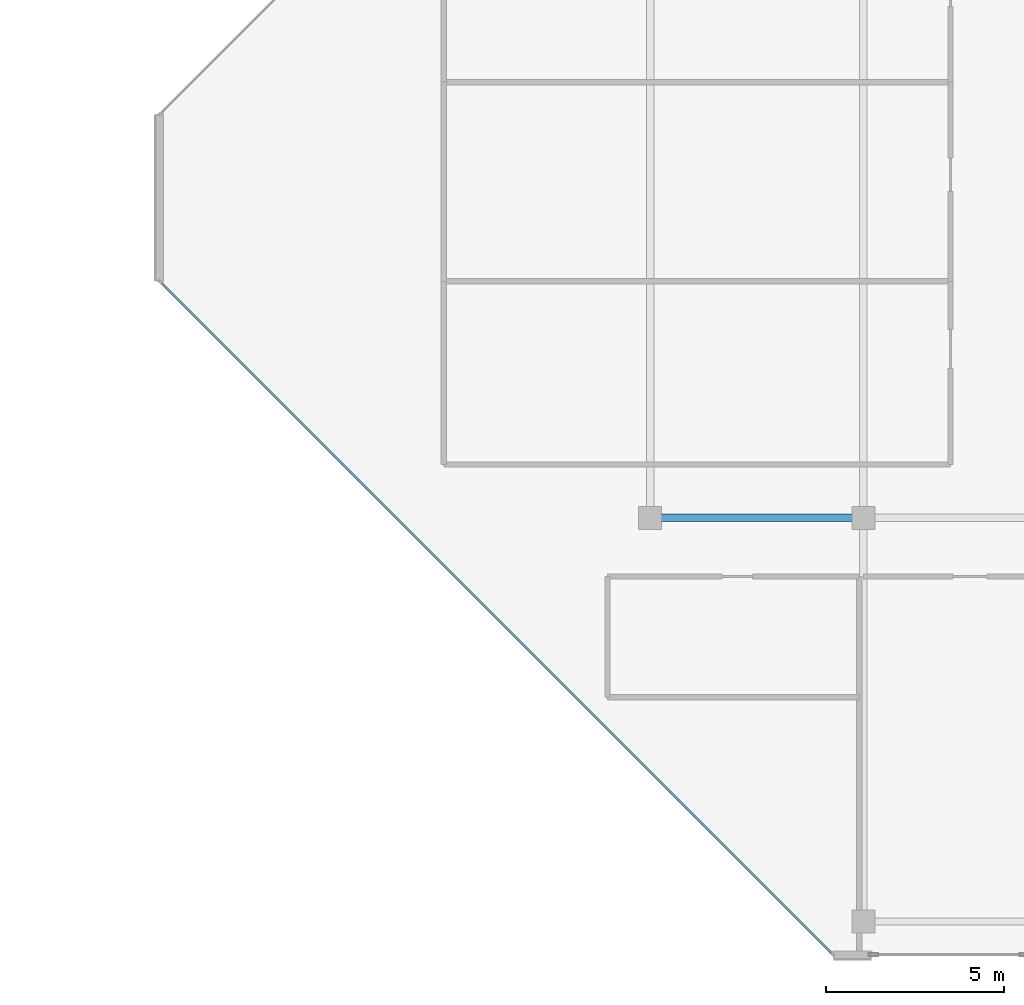
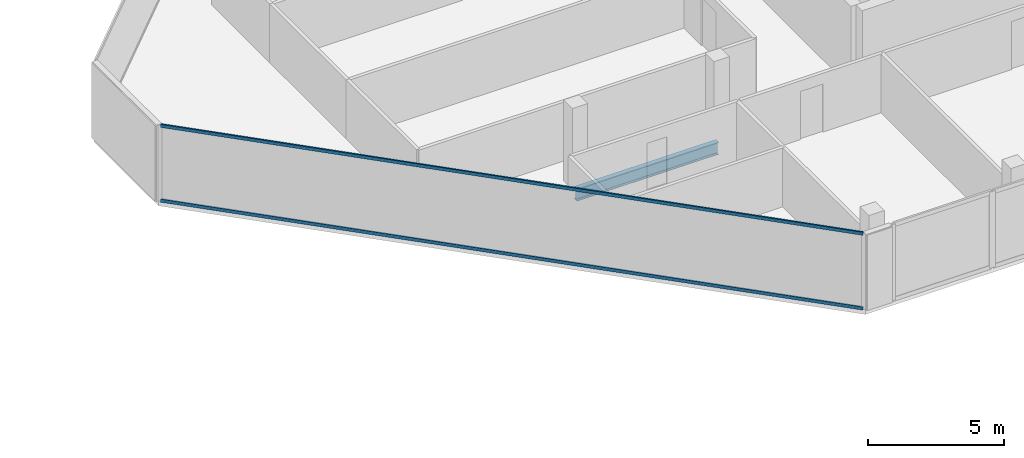
# One storey, part 9 of 28: 2 members, 1 beam, 1 element without a shape of its own.
"""IFC4 building model written with IfcOpenShell, lengths in metres."""

from ifc_helpers import new_model, si_unit, direction, frame, origin, origin_2d, place, context, subcontext, project, spatial, hollow_rectangle, i_section, extrude, material, layer, layer_set, material_profile, profile_set, type_object, element, aggregate, save


model = new_model("IFC4")

# Units and contexts
model_context = context("Model", 3, precision=1e-05, world=origin(), true_north=direction((0.0, 1.0)))
body_context = subcontext(model_context, "Body", "Model", "MODEL_VIEW")
ifc_project = project(units=[si_unit("LENGTHUNIT", "METRE"), si_unit("AREAUNIT", "SQUARE_METRE"), si_unit("VOLUMEUNIT", "CUBIC_METRE"), si_unit("PLANEANGLEUNIT", "RADIAN"), si_unit("MASSUNIT", "GRAM", prefix="KILO")], contexts=[model_context])

# Site, building, storey
site_placement = place(None, origin())
site = spatial("IfcSite", under=ifc_project, at=site_placement, CompositionType="ELEMENT")
building_placement = place(site_placement, origin())
building = spatial("IfcBuilding", under=site, at=building_placement, Name="Tanjung Sevakor Pilgrim Tower", CompositionType="ELEMENT")
storey_placement = place(building_placement, frame((0.0, 0.0, 257.070068359375)))
storey = spatial("IfcBuildingStorey", under=building, at=storey_placement, Name="L72", CompositionType="ELEMENT", Elevation=257.070068359375)

# Beam
ifc_material_1 = material(Name="Steel S355J2", Category="steel")
ifc_material_profile_1 = material_profile(ifc_material_1, i_section(OverallWidth=0.2119140625, OverallDepth=0.54443359375, WebThickness=0.0126953125, FlangeThickness=0.021240234375, FilletRadius=0.0126953125, at=origin_2d()))
ifc_profile_set_1 = profile_set([ifc_material_profile_1], Name="Steel S355J2")
beam_type = type_object("IfcBeamType", Name="BM-B-G5-UB_533x210x122", PredefinedType="BEAM", material=ifc_profile_set_1)
beam_placement = place(storey_placement, frame((66.0, 24.60009765625, -0.4921875), z_axis=(1.0, 0.0, 0.0), x_axis=(0.0, 1.0, 0.0)))
element("IfcBeam", 1, at=beam_placement, inside=storey, type_object=beam_type, Name="L72 Primary Floor Girder EAST Y246-01", PredefinedType="BEAM", context=body_context, shape_type="SweptSolid", body=[
    extrude(i_section(OverallWidth=0.2119140625, OverallDepth=0.54443359375, WebThickness=0.0126953125, FlangeThickness=0.021240234375, FilletRadius=0.0126953125, at=origin_2d()), origin(), (0.0, 0.0, 1.0), 6.0),
])

# Curtain wall, members
ifc_material_2 = material(Name="Aluminium 6063-T6 and Low-E Glass", Category="aluminium")
ifc_layer = layer(ifc_material_2, 0.179931640625)
ifc_layer_set = layer_set([ifc_layer], Name="CW-SYS-CHAM")
curtain_wall_type = type_object("IfcCurtainWallType", Name="CW-SYS-CHAM", PredefinedType="NOTDEFINED", material=ifc_layer_set)
curtain_wall_placement = place(storey_placement, origin())
curtain_wall = element("IfcCurtainWall", 2, at=curtain_wall_placement, inside=storey, type_object=curtain_wall_type, Name="L72 Curtain Wall CW-CHM-L72-EAST-7", PredefinedType="NOTDEFINED")
ifc_material_3 = material(Name="Aluminium 6063-T6", Category="aluminium")
ifc_material_profile_2 = material_profile(ifc_material_3, hollow_rectangle(XDim=0.06494140625, YDim=0.139892578125, WallThickness=0.00390625, at=origin_2d()))
ifc_profile_set_2 = profile_set([ifc_material_profile_2], Name="Aluminium 6063-T6")
member_type = type_object("IfcMemberType", Name="TYPE-CWT-1", PredefinedType="USERDEFINED", material=ifc_profile_set_2)
member_1_placement = place(storey_placement, frame((52.255859375, 31.19970703125, 0.032470703125), z_axis=(0.707106781187, -0.707106781187, 0.0), x_axis=(0.707106781187, 0.707106781187, 0.0)))
member_1 = element("IfcMember", 3, at=member_1_placement, type_object=member_type, Name="CW-CHM transom 1.1", ObjectType="TRANSOM", PredefinedType="USERDEFINED", context=body_context, shape_type="SweptSolid", body=[
    extrude(hollow_rectangle(XDim=0.06494140625, YDim=0.139892578125, WallThickness=0.00390625, at=origin_2d()), origin(), (0.0, 0.0, 1.0), 26.649169921875),
])
member_2_placement = place(storey_placement, frame((52.255859375, 31.19970703125, 3.37744140625), z_axis=(0.707106781187, -0.707106781187, 0.0), x_axis=(0.707106781187, 0.707106781187, 0.0)))
member_2 = element("IfcMember", 4, at=member_2_placement, type_object=member_type, Name="CW-CHM transom 1.2", ObjectType="TRANSOM", PredefinedType="USERDEFINED", context=body_context, shape_type="SweptSolid", body=[
    extrude(hollow_rectangle(XDim=0.06494140625, YDim=0.139892578125, WallThickness=0.00390625, at=origin_2d()), origin(), (0.0, 0.0, 1.0), 26.649169921875),
])
aggregate(curtain_wall, [member_1, member_2])

save(model, "model.ifc")
